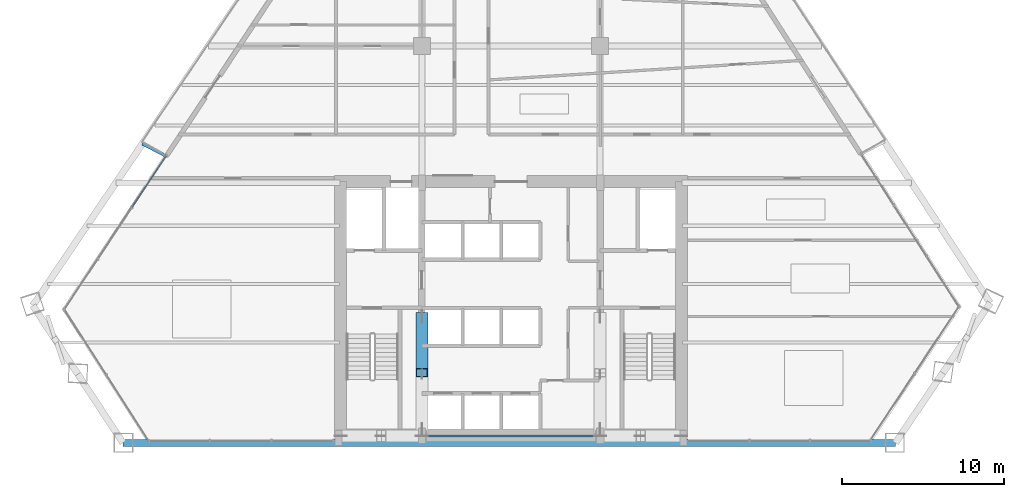
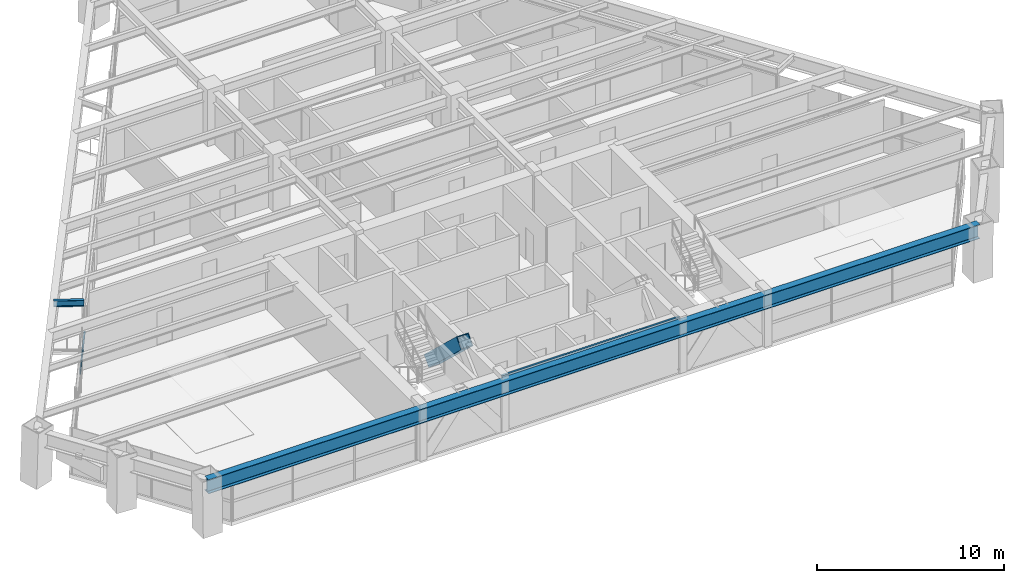
# One storey, part 3 of 14: 3 beams, 2 members, 1 element without a shape of its own.
"""IFC4 building model written with IfcOpenShell, lengths in metres."""

from ifc_helpers import new_model, si_unit, direction, frame, origin, origin_2d, place, context, subcontext, project, spatial, rectangle, hollow_rectangle, i_section, extrude, source, transform, mapped, material, material_profile, profile_set, type_object, type_shapes, element, aggregate, save


model = new_model("IFC4")

# Units and contexts
model_context = context("Model", 3, precision=1e-05, world=origin(), true_north=direction((0.0, 1.0)))
body_context = subcontext(model_context, "Body", "Model", "MODEL_VIEW")
ifc_project = project(units=[si_unit("LENGTHUNIT", "METRE"), si_unit("AREAUNIT", "SQUARE_METRE"), si_unit("VOLUMEUNIT", "CUBIC_METRE"), si_unit("PLANEANGLEUNIT", "RADIAN"), si_unit("MASSUNIT", "GRAM", prefix="KILO")], contexts=[model_context])

# Site, building, storey
site_placement = place(None, origin())
site = spatial("IfcSite", under=ifc_project, at=site_placement, CompositionType="ELEMENT")
building_placement = place(site_placement, origin())
building = spatial("IfcBuilding", under=site, at=building_placement, Name="Varnakhor Terracotta Tower", CompositionType="ELEMENT")
storey_placement = place(building_placement, frame((0.0, 0.0, 117.300048828125)))
storey = spatial("IfcBuildingStorey", under=building, at=storey_placement, Name="L29", CompositionType="ELEMENT", Elevation=117.300048828125)

# Beams
ifc_material_1 = material(Name="Steel S355", Category="steel")
ifc_material_profile_1 = material_profile(ifc_material_1, i_section(OverallWidth=0.1201171875, OverallDepth=0.239990234375, WebThickness=0.006103515625, FlangeThickness=0.009765625, FilletRadius=0.01806640625, at=origin_2d()), Name="IPE240")
ifc_profile_set_1 = profile_set([ifc_material_profile_1], Name="Steel S355")
beam_type_1 = type_object("IfcBeamType", Name="LNT-IPE240", PredefinedType="LINTEL", material=ifc_profile_set_1)
shared_shape_1 = source(origin(), body_context, "Body", "SweptSolid", [
    extrude(i_section(OverallWidth=0.1201171875, OverallDepth=0.239990234375, WebThickness=0.006103515625, FlangeThickness=0.009765625, FilletRadius=0.01806640625, at=origin_2d()), origin(), (0.0, 0.0, 1.0), 11.0),
])
type_shapes(beam_type_1, [shared_shape_1])
beam_1_placement = place(storey_placement, frame((-5.5, 0.419921875, 3.300048828125), z_axis=(1.0, 0.0, 0.0), x_axis=(0.0, 1.0, 0.0)))
element("IfcBeam", 1, at=beam_1_placement, inside=storey, type_object=beam_type_1, Name="L29 Core South Coupling Lintel", PredefinedType="LINTEL", context=body_context, shape_type="MappedRepresentation", body=[
    mapped(shared_shape_1, transform((0.0, 0.0, 0.0), scale=1.0)),
])
ifc_material_profile_2 = material_profile(ifc_material_1, i_section(OverallWidth=0.41796875, OverallDepth=0.927001953125, WebThickness=0.01904296875, FlangeThickness=0.031982421875, FilletRadius=0.01806640625, at=origin_2d()), Name="W36X231")
ifc_profile_set_2 = profile_set([ifc_material_profile_2], Name="Steel S355")
beam_type_2 = type_object("IfcBeamType", Name="BM-W36X231", PredefinedType="BEAM", material=ifc_profile_set_2)
shared_shape_2 = source(origin(), body_context, "Body", "SweptSolid", [
    extrude(i_section(OverallWidth=0.41796875, OverallDepth=0.927001953125, WebThickness=0.01904296875, FlangeThickness=0.031982421875, FilletRadius=0.01806640625, at=origin_2d()), origin(), (0.0, 0.0, 1.0), 47.68212890625),
])
beam_2_placement = place(storey_placement, frame((-23.954345703125, 0.0, 2.95654296875), z_axis=(1.0, 0.0, 0.0), x_axis=(0.0, 1.0, 0.0)))
element("IfcBeam", 2, at=beam_2_placement, inside=storey, type_object=beam_type_2, Name="L29 Perimeter Spandrel 1", PredefinedType="BEAM", context=body_context, shape_type="MappedRepresentation", body=[
    mapped(shared_shape_2, transform((0.0, 0.0, 0.0), scale=1.0)),
])

# Member
ifc_material_2 = material(Name="Steel S460", Category="steel")
ifc_material_profile_3 = material_profile(ifc_material_2, hollow_rectangle(XDim=0.75, YDim=0.75, WallThickness=0.044921875, at=origin_2d()), Name="HSS750X750X45")
ifc_profile_set_3 = profile_set([ifc_material_profile_3], Name="Steel S460")
member_type_1 = type_object("IfcMemberType", Name="MBR-MEGA-750", PredefinedType="BRACE", material=ifc_profile_set_3)
shared_shape_3 = source(origin(), body_context, "Body", "SweptSolid", [
    extrude(hollow_rectangle(XDim=0.75, YDim=0.75, WallThickness=0.044921875, at=origin_2d()), origin(), (0.0, 0.0, 1.0), 4.771728515625),
])
member_1_placement = place(storey_placement, frame((-5.5, 7.800048828125, 0.0), z_axis=(0.0, -0.728269083929, 0.685291282152), x_axis=(1.0, 0.0, 0.0)))
element("IfcMember", 3, at=member_1_placement, inside=storey, type_object=member_type_1, Name="L29 Core Coupled Brace CWWB", PredefinedType="BRACE", context=body_context, shape_type="MappedRepresentation", body=[
    mapped(shared_shape_3, transform((0.0, 0.0, 0.0), scale=1.0)),
])

# Curtain wall, member
ifc_material_3 = material(Name="Anodised Aluminium Curtain Wall System", Category="aluminium")
curtain_wall_type = type_object("IfcCurtainWallType", Name="CW-SYS-LOW-OFFICE", PredefinedType="NOTDEFINED", material=ifc_material_3)
curtain_wall_placement = place(storey_placement, origin())
curtain_wall = element("IfcCurtainWall", 4, at=curtain_wall_placement, inside=storey, type_object=curtain_wall_type, Name="L29 W Facet Curtain Wall 1", PredefinedType="NOTDEFINED")
ifc_material_4 = material(Name="Anodised Aluminium 6063-T6", Category="aluminium")
ifc_material_profile_4 = material_profile(ifc_material_4, rectangle(XDim=0.074951171875, YDim=0.1650390625, at=origin_2d()), Name="ALU TRANSOM 75x165")
ifc_profile_set_4 = profile_set([ifc_material_profile_4], Name="Anodised Aluminium 6063-T6")
member_type_2 = type_object("IfcMemberType", Name="CWT-02", PredefinedType="USERDEFINED", material=ifc_profile_set_4)
shared_shape_4 = source(origin(), body_context, "Body", "SweptSolid", [
    extrude(rectangle(XDim=0.074951171875, YDim=0.1650390625, at=origin_2d()), origin(), (0.0, 0.0, 1.0), 3.7998046875),
])
member_2_placement = place(storey_placement, frame((-23.389404296875, 14.53955078125, 1.260009765625), z_axis=(0.552800927997, 0.83331334683, 0.0), x_axis=(-0.83331334683, 0.552800927997, 0.0)))
member_2 = element("IfcMember", 5, at=member_2_placement, type_object=member_type_2, Name="L29 W Facet Curtain Wall 1 Transom 3", ObjectType="TRANSOM", PredefinedType="USERDEFINED", context=body_context, shape_type="MappedRepresentation", body=[
    mapped(shared_shape_4, transform((0.0, 0.0, 0.0), scale=1.0)),
])
aggregate(curtain_wall, [member_2])

# Beam
ifc_material_profile_5 = material_profile(ifc_material_1, i_section(OverallWidth=0.179931640625, OverallDepth=0.39990234375, WebThickness=0.008544921875, FlangeThickness=0.013427734375, FilletRadius=0.01806640625, at=origin_2d()), Name="IPE400")
ifc_profile_set_5 = profile_set([ifc_material_profile_5], Name="Steel S355")
beam_type_3 = type_object("IfcBeamType", Name="JST-IPE400", PredefinedType="JOIST", material=ifc_profile_set_5)
shared_shape_5 = source(origin(), body_context, "Body", "SweptSolid", [
    extrude(i_section(OverallWidth=0.179931640625, OverallDepth=0.39990234375, WebThickness=0.008544921875, FlangeThickness=0.013427734375, FilletRadius=0.01806640625, at=origin_2d()), origin(), (0.0, 0.0, 1.0), 1.616943359375),
])
beam_3_placement = place(storey_placement, frame((-21.320556640625, 17.71826171875, 3.219970703125), z_axis=(-0.885748768354, 0.464164969983, 0.0), x_axis=(-0.464164969983, -0.885748768354, 0.0)))
element("IfcBeam", 6, at=beam_3_placement, inside=storey, type_object=beam_type_3, Name="L30 W Loggia Tie Beam 1", PredefinedType="JOIST", context=body_context, shape_type="MappedRepresentation", body=[
    mapped(shared_shape_5, transform((0.0, 0.0, 0.0), scale=1.0)),
])

save(model, "model.ifc")
